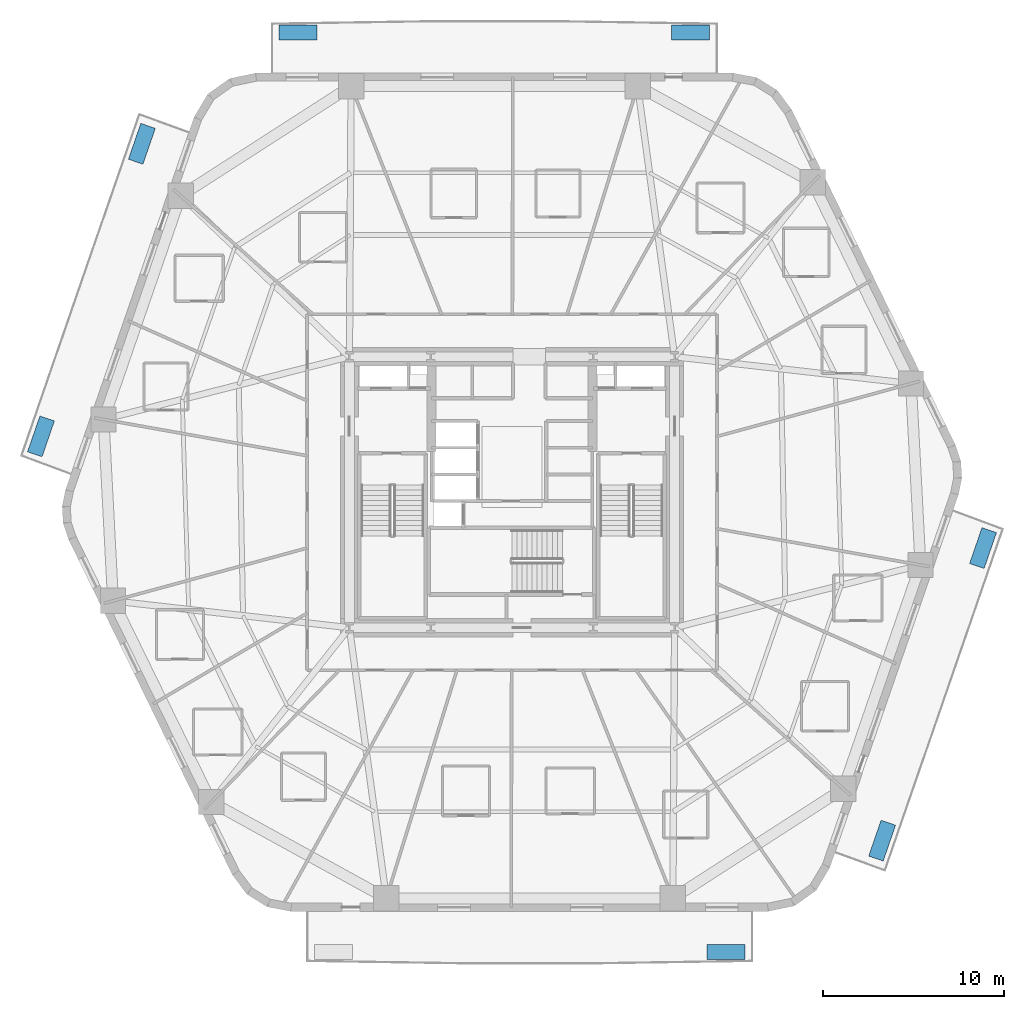
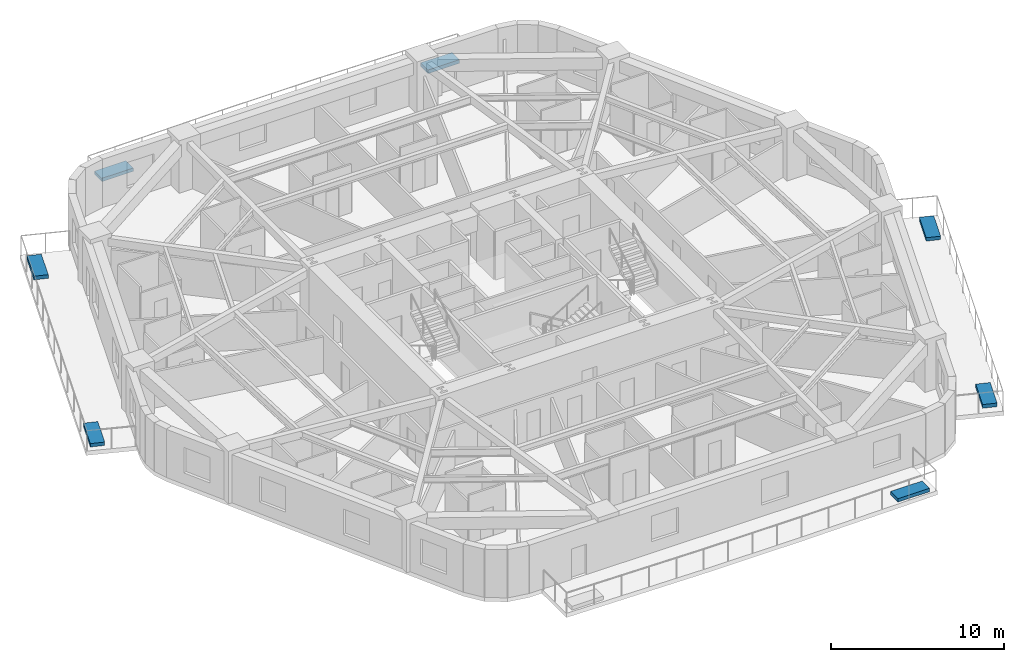
# One storey, part 8 of 11: 7 discrete accessories.
"""IFC4 building model written with IfcOpenShell, lengths in metres."""

from ifc_helpers import new_model, si_unit, direction, frame, origin, origin_2d, place, context, subcontext, project, spatial, rectangle, extrude, material, type_object, element, save


model = new_model("IFC4")

# Units and contexts
model_context = context("Model", 3, precision=1e-05, world=origin(), true_north=direction((0.0, 1.0)))
body_context = subcontext(model_context, "Body", "Model", "MODEL_VIEW")
ifc_project = project(units=[si_unit("LENGTHUNIT", "METRE"), si_unit("AREAUNIT", "SQUARE_METRE"), si_unit("VOLUMEUNIT", "CUBIC_METRE"), si_unit("PLANEANGLEUNIT", "RADIAN"), si_unit("MASSUNIT", "GRAM", prefix="KILO")], contexts=[model_context])

# Site, building, storey
site_placement = place(None, origin())
site = spatial("IfcSite", under=ifc_project, at=site_placement, CompositionType="ELEMENT")
building_placement = place(site_placement, origin())
building = spatial("IfcBuilding", under=site, at=building_placement, Name="Kilnhurst Terrace Hotel", CompositionType="ELEMENT")
storey_placement = place(building_placement, frame((0.0, 0.0, 41.60009765625)))
storey = spatial("IfcBuildingStorey", under=building, at=storey_placement, Name="L08", CompositionType="ELEMENT", Elevation=41.60009765625)

# Discrete accessories
ifc_material_1 = material(Name="Precast Concrete C40/50 Shrub Planter", Category="concrete")
discrete_accessory_type_1 = type_object("IfcDiscreteAccessoryType", Name="PLN-SHRUB-240", PredefinedType="USERDEFINED", material=ifc_material_1)
for number, where, z_axis, x_axis, name in (
    (1, (11.841552734375, -25.449951171875, 0.0), (0.0, 0.0, 1.0), (1.0, 0.0, 0.0), "L08 Structural Tree Planter Box PLANTER BAL-L1A.2"),
    (2, (26.073486328125, -3.09130859375, 0.0), (0.0, 0.0, 1.0), (0.326063182175, 0.94534797891, 0.0), "L08 Structural Tree Planter Box PLANTER BAL-L1B.2"),
    (3, (-11.841552734375, 25.449951171875, 0.0), (0.0, 0.0, 1.0), (-1.0, 0.0, 0.0), "L08 Structural Tree Planter Box PLANTER BAL-L2A.2"),
    (4, (-26.073486328125, 3.09130859375, 0.0), (0.0, 0.0, 1.0), (-0.326063182175, -0.94534797891, 0.0), "L08 Structural Tree Planter Box PLANTER BAL-L2B.2"),
):
    element("IfcDiscreteAccessory", number, at=place(storey_placement, frame(where, z_axis=z_axis, x_axis=x_axis)), inside=storey, type_object=discrete_accessory_type_1, Name=name, ObjectType="PLANTER", PredefinedType="USERDEFINED", context=body_context, shape_type="SweptSolid", body=[
        extrude(rectangle(XDim=2.10009765625, YDim=0.85009765625, at=origin_2d()), origin(), (0.0, 0.0, 1.0), 0.239990234375),
    ])
ifc_material_2 = material(Name="Precast Concrete C40/50 Tree Planter", Category="concrete")
discrete_accessory_type_2 = type_object("IfcDiscreteAccessoryType", Name="PLN-TREE-260", PredefinedType="USERDEFINED", material=ifc_material_2)
for number, where, z_axis, x_axis, name in (
    (5, (20.488037109375, -19.285888671875, 0.0), (0.0, 0.0, 1.0), (0.326063182175, 0.94534797891, 0.0), "L08 Structural Tree Planter Box PLANTER BAL-L1B.1"),
    (6, (9.89208984375, 25.449951171875, 0.0), (0.0, 0.0, 1.0), (-1.0, 0.0, 0.0), "L08 Structural Tree Planter Box PLANTER BAL-L2A.1"),
    (7, (-20.488037109375, 19.285888671875, 0.0), (0.0, 0.0, 1.0), (-0.326063182175, -0.94534797891, 0.0), "L08 Structural Tree Planter Box PLANTER BAL-L2B.1"),
):
    element("IfcDiscreteAccessory", number, at=place(storey_placement, frame(where, z_axis=z_axis, x_axis=x_axis)), inside=storey, type_object=discrete_accessory_type_2, Name=name, ObjectType="PLANTER", PredefinedType="USERDEFINED", context=body_context, shape_type="SweptSolid", body=[
        extrude(rectangle(XDim=2.10009765625, YDim=0.85009765625, at=origin_2d()), origin(), (0.0, 0.0, 1.0), 0.260009765625),
    ])

save(model, "model.ifc")
